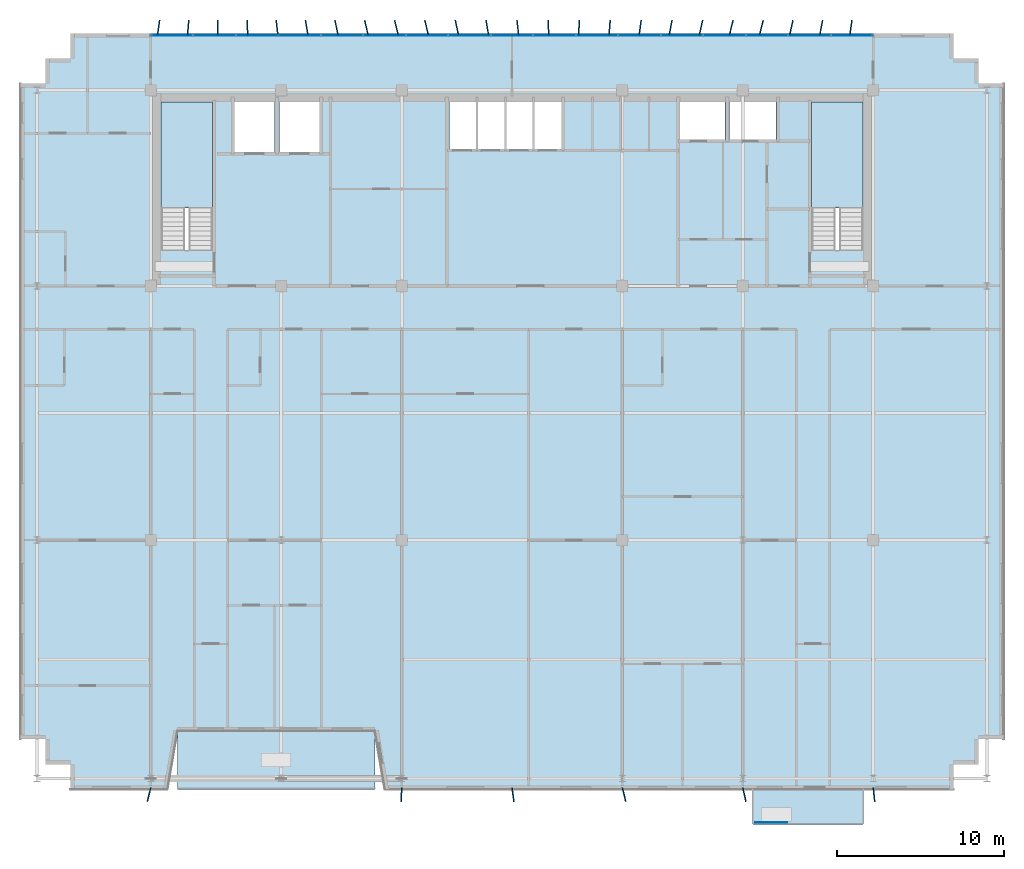
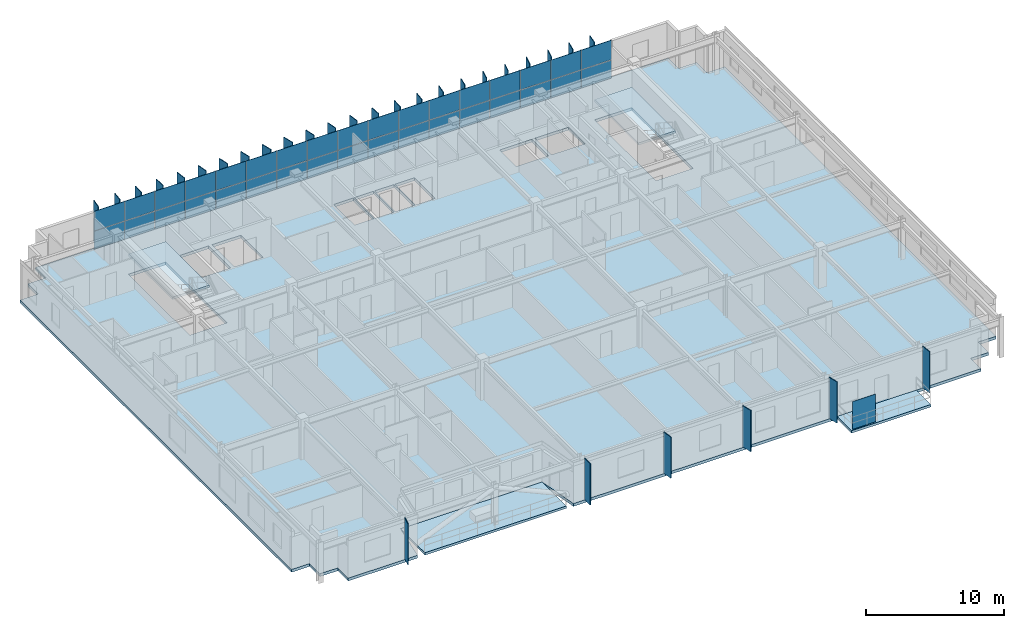
# One storey, part 13 of 20: 65 plates, 5 slabs, 3 elements without a shape of their own.
"""IFC4 building model written with IfcOpenShell, lengths in metres."""

from ifc_helpers import new_model, si_unit, direction, frame, origin, origin_2d, place, context, subcontext, project, spatial, polyline, rectangle, outline, extrude, source, transform, mapped, material, layer, layer_set, type_object, element, aggregate, save


model = new_model("IFC4")

# Units and contexts
model_context = context("Model", 3, precision=1e-05, world=origin(), true_north=direction((0.0, 1.0)))
body_context = subcontext(model_context, "Body", "Model", "MODEL_VIEW")
ifc_project = project(units=[si_unit("LENGTHUNIT", "METRE"), si_unit("AREAUNIT", "SQUARE_METRE"), si_unit("VOLUMEUNIT", "CUBIC_METRE"), si_unit("PLANEANGLEUNIT", "RADIAN"), si_unit("MASSUNIT", "GRAM", prefix="KILO")], contexts=[model_context])

# Site, building, storey
site_placement = place(None, origin())
site = spatial("IfcSite", under=ifc_project, at=site_placement, CompositionType="ELEMENT")
building_placement = place(site_placement, origin())
building = spatial("IfcBuilding", under=site, at=building_placement, Name="Trelvane Seafront Commons", CompositionType="ELEMENT")
storey_placement = place(building_placement, frame((0.0, 0.0, 171.699951171875)))
storey = spatial("IfcBuildingStorey", under=building, at=storey_placement, Name="L45", CompositionType="ELEMENT", Elevation=171.699951171875)

# Slab
ifc_material_1 = material(Name="Concrete C40/50", Category="concrete")
ifc_layer_1 = layer(ifc_material_1, 0.219970703125, Name="ARCH-BALC-220")
ifc_layer_set_1 = layer_set([ifc_layer_1], Name="Concrete C40/50")
slab_type_1 = type_object("IfcSlabType", Name="ARCH-BALC-220", PredefinedType="FLOOR", material=ifc_layer_set_1)
slab_1_placement = place(storey_placement, frame((0.0, 0.0, -0.219970703125)))
element("IfcSlab", 1, at=slab_1_placement, inside=storey, type_object=slab_type_1, Name="L45 Cantilevered Tree Balcony Loggia 2", PredefinedType="FLOOR", context=body_context, shape_type="SweptSolid", body=[
    extrude(outline(polyline([(51.60009765625, 1.199951171875), (58.199951171875, 1.199951171875), (58.199951171875, 3.300048828125), (51.60009765625, 3.300048828125), (51.60009765625, 1.199951171875)])), origin(), (0.0, 0.0, 1.0), 0.219970703125),
])

# Stair, slab
stair_type_1 = type_object("IfcStairType", Name="ARCH-STR-ST-1-R20-180", PredefinedType="HALF_TURN_STAIR", material=ifc_material_1)
stair_1_placement = place(storey_placement, origin())
stair_1 = element("IfcStair", 2, at=stair_1_placement, inside=storey, type_object=stair_type_1, Name="L45 West Protected Firefighting Exit Stair ST-1", PredefinedType="HALF_TURN_STAIR")
ifc_layer_2 = layer(ifc_material_1, 0.199951171875, Name="ARCH-LND-200")
ifc_layer_set_2 = layer_set([ifc_layer_2], Name="Concrete C40/50")
slab_type_2 = type_object("IfcSlabType", Name="ARCH-LND-200", PredefinedType="LANDING", material=ifc_layer_set_2)
slab_2_placement = place(storey_placement, frame((0.0, 0.0, 1.60009765625)))
slab_2 = element("IfcSlab", 3, at=slab_2_placement, type_object=slab_type_2, Name="ST-1 landing 1", PredefinedType="LANDING", context=body_context, shape_type="SweptSolid", body=[
    extrude(outline(polyline([(19.300048828125, 38.070068359375), (19.300048828125, 44.39990234375), (16.199951171875, 44.39990234375), (16.199951171875, 38.070068359375), (19.300048828125, 38.070068359375)])), origin(), (0.0, 0.0, 1.0), 0.199951171875),
])
aggregate(stair_1, [slab_2])

stair_type_2 = type_object("IfcStairType", Name="ARCH-STR-ST-2-R20-180", PredefinedType="HALF_TURN_STAIR", material=ifc_material_1)
stair_2_placement = place(storey_placement, origin())
stair_2 = element("IfcStair", 4, at=stair_2_placement, inside=storey, type_object=stair_type_2, Name="L45 East Protected Firefighting Exit Stair ST-2", PredefinedType="HALF_TURN_STAIR")
slab_3_placement = place(storey_placement, frame((0.0, 0.0, 1.60009765625)))
slab_3 = element("IfcSlab", 5, at=slab_3_placement, type_object=slab_type_2, Name="ST-2 landing 1", PredefinedType="LANDING", context=body_context, shape_type="SweptSolid", body=[
    extrude(outline(polyline([(58.199951171875, 38.070068359375), (58.199951171875, 44.39990234375), (55.10009765625, 44.39990234375), (55.10009765625, 38.070068359375), (58.199951171875, 38.070068359375)])), origin(), (0.0, 0.0, 1.0), 0.199951171875),
])
aggregate(stair_2, [slab_3])

# Slabs
ifc_layer_3 = layer(ifc_material_1, 0.2099609375, Name="ARCH-TERR-210")
ifc_layer_set_3 = layer_set([ifc_layer_3], Name="Concrete C40/50")
slab_type_3 = type_object("IfcSlabType", Name="ARCH-TERR-210", PredefinedType="FLOOR", material=ifc_layer_set_3)
slab_4_placement = place(storey_placement, frame((0.0, 0.0, -0.2099609375)))
element("IfcSlab", 6, at=slab_4_placement, inside=storey, type_object=slab_type_3, Name="L45 V-Notched Sky Garden Terrace Slab", PredefinedType="FLOOR", context=body_context, shape_type="SweptSolid", body=[
    extrude(outline(polyline([(17.199951171875, 3.300048828125), (29.0, 3.300048828125), (29.0, 6.800048828125), (17.199951171875, 6.800048828125), (17.199951171875, 3.300048828125)])), origin(), (0.0, 0.0, 1.0), 0.2099609375),
])
ifc_material_2 = material(Name="Concrete C50/60", Category="concrete")
ifc_layer_4 = layer(ifc_material_2, 0.25, Name="STR-SLB-Z3-250")
ifc_layer_set_4 = layer_set([ifc_layer_4], Name="Concrete C50/60")
slab_type_4 = type_object("IfcSlabType", Name="STR-SLB-Z3-250", PredefinedType="FLOOR", material=ifc_layer_set_4)
slab_5_placement = place(storey_placement, frame((0.0, 0.0, -0.25)))
element("IfcSlab", 7, at=slab_5_placement, inside=storey, type_object=slab_type_4, Name="L45 Structural Floor Slab", PredefinedType="FLOOR", context=body_context, shape_type="SweptSolid", body=[
    extrude(outline(polyline([(10.800048828125, 3.300048828125), (16.60009765625, 3.300048828125), (17.199951171875, 6.800048828125), (29.0, 6.800048828125), (29.60009765625, 3.300048828125), (63.60009765625, 3.300048828125), (63.60009765625, 4.800048828125), (65.10009765625, 4.800048828125), (65.10009765625, 6.300048828125), (66.60009765625, 6.300048828125), (66.60009765625, 45.5), (65.10009765625, 45.5), (65.10009765625, 47.0), (63.60009765625, 47.0), (63.60009765625, 48.5), (10.800048828125, 48.5), (10.800048828125, 47.0), (9.300048828125, 47.0), (9.300048828125, 45.5), (7.800048828125, 45.5), (7.800048828125, 6.300048828125), (9.300048828125, 6.300048828125), (9.300048828125, 4.800048828125), (10.800048828125, 4.800048828125), (10.800048828125, 3.300048828125)]), holes=[polyline([(19.300048828125, 35.550048828125), (16.199951171875, 35.550048828125), (16.199951171875, 44.39990234375), (19.300048828125, 44.39990234375), (19.300048828125, 35.550048828125)]), polyline([(58.199951171875, 35.550048828125), (55.10009765625, 35.550048828125), (55.10009765625, 44.39990234375), (58.199951171875, 44.39990234375), (58.199951171875, 35.550048828125)]), polyline([(23.0, 41.39990234375), (20.60009765625, 41.39990234375), (20.60009765625, 44.60009765625), (23.0, 44.60009765625), (23.0, 41.39990234375)]), polyline([(23.300048828125, 41.39990234375), (23.300048828125, 44.60009765625), (25.699951171875, 44.60009765625), (25.699951171875, 41.39990234375), (23.300048828125, 41.39990234375)]), polyline([(33.449951171875, 41.60009765625), (33.449951171875, 44.60009765625), (35.070068359375, 44.60009765625), (35.070068359375, 41.60009765625), (33.449951171875, 41.60009765625)]), polyline([(36.77001953125, 41.60009765625), (35.14990234375, 41.60009765625), (35.14990234375, 44.60009765625), (36.77001953125, 44.60009765625), (36.77001953125, 41.60009765625)]), polyline([(38.469970703125, 41.60009765625), (36.85009765625, 41.60009765625), (36.85009765625, 44.60009765625), (38.469970703125, 44.60009765625), (38.469970703125, 41.60009765625)]), polyline([(40.169921875, 41.60009765625), (38.550048828125, 41.60009765625), (38.550048828125, 44.60009765625), (40.169921875, 44.60009765625), (40.169921875, 41.60009765625)]), polyline([(47.25, 42.14990234375), (47.25, 44.550048828125), (49.949951171875, 44.550048828125), (49.949951171875, 42.14990234375), (47.25, 42.14990234375)]), polyline([(50.199951171875, 42.14990234375), (50.199951171875, 44.550048828125), (53.0, 44.550048828125), (53.0, 42.14990234375), (50.199951171875, 42.14990234375)])]), origin(), (0.0, 0.0, 1.0), 0.25),
])

# Plates
ifc_material_3 = material(Name="Perforated anodised aluminium screen", Category="aluminium")
ifc_layer_5 = layer(ifc_material_3, 0.01611328125, Name="ARCH-PLATE-SCREEN")
ifc_layer_set_5 = layer_set([ifc_layer_5], Name="Perforated anodised aluminium screen")
plate_type_1 = type_object("IfcPlateType", Name="ARCH-PLATE-SCREEN", PredefinedType="USERDEFINED", material=ifc_layer_set_5)
shared_shape_1 = source(origin(), body_context, "Body", "SweptSolid", [
    extrude(rectangle(XDim=1.9140625, YDim=0.01611328125, at=origin_2d()), origin(), (0.0, 0.0, 1.0), 2.449951171875),
])
plate_1_placement = place(storey_placement, frame((52.70703125, 1.320068359375, 0.0), z_axis=(0.0, 0.0, 1.0), x_axis=(1.0, 0.0, 0.0)))
element("IfcPlate", 8, at=plate_1_placement, inside=storey, type_object=plate_type_1, Name="SCR-L45-00163", ObjectType="SCREEN", PredefinedType="USERDEFINED", context=body_context, shape_type="MappedRepresentation", body=[
    mapped(shared_shape_1, transform((0.0, 0.0, 0.0), x_axis=(1.0, 0.0, 0.0), y_axis=(0.0, 1.0, 0.0), z_axis=(0.0, 0.0, 1.0), scale=1.0)),
])
ifc_material_4 = material(Name="Anodised pale-silver aluminium", Category="aluminium")
ifc_layer_6 = layer(ifc_material_4, 0.06005859375, Name="ARCH-PLATE-FIN900")
ifc_layer_set_6 = layer_set([ifc_layer_6], Name="Anodised pale-silver aluminium")
plate_type_2 = type_object("IfcPlateType", Name="ARCH-PLATE-FIN900", PredefinedType="USERDEFINED", material=ifc_layer_set_6)
shared_shape_2 = source(origin(), body_context, "Body", "SweptSolid", [
    extrude(rectangle(XDim=0.89990234375, YDim=0.06005859375, at=origin_2d()), origin(), (0.0, 0.0, 1.0), 3.639892578125),
])
for number, where, z_axis, x_axis, name in (
    (9, (16.064208984375, 48.845458984375, -0.02001953125), (0.0, 0.0, 1.0), (0.142447545344, 0.989802352405, 0.0), "FIN-L45-01247"),
    (10, (17.837890625, 48.848388671875, -0.02001953125), (0.0, 0.0, 1.0), (0.084001331631, 0.9964656423, 0.0), "FIN-L45-01248"),
    (11, (19.608642578125, 48.849853515625, -0.02001953125), (0.0, 0.0, 1.0), (0.019111936957, 0.999817350252, 0.0), "FIN-L45-01249"),
    (12, (21.37890625, 48.849609375, -0.02001953125), (0.0, 0.0, 1.0), (-0.04722151425, 0.998884442061, 0.0), "FIN-L45-01250"),
    (13, (23.150390625, 48.847412109375, -0.02001953125), (0.0, 0.0, 1.0), (-0.110004934125, 0.993931041103, 0.0), "FIN-L45-01251"),
    (14, (24.926025390625, 48.843994140625, -0.02001953125), (0.0, 0.0, 1.0), (-0.164219557711, 0.986423811992, 0.0), "FIN-L45-01252"),
    (15, (26.707275390625, 48.84033203125, -0.02001953125), (0.0, 0.0, 1.0), (-0.205999242433, 0.978552150944, 0.0), "FIN-L45-01253"),
    (16, (28.495361328125, 48.837646484375, -0.02001953125), (0.0, 0.0, 1.0), (-0.232457528092, 0.972606548216, 0.0), "FIN-L45-01254"),
    (17, (30.291259765625, 48.836669921875, -0.02001953125), (0.0, 0.0, 1.0), (-0.241881251735, 0.970305859025, 0.0), "FIN-L45-01255"),
    (18, (32.0947265625, 48.837646484375, -0.02001953125), (0.0, 0.0, 1.0), (-0.233767801091, 0.972292453521, 0.0), "FIN-L45-01256"),
    (19, (33.906005859375, 48.840087890625, -0.02001953125), (0.0, 0.0, 1.0), (-0.208556963201, 0.978010221368, 0.0), "FIN-L45-01257"),
    (20, (35.724609375, 48.843505859375, -0.02001953125), (0.0, 0.0, 1.0), (-0.167785702463, 0.98582349234, 0.0), "FIN-L45-01258"),
    (21, (37.548583984375, 48.846923828125, -0.02001953125), (0.0, 0.0, 1.0), (-0.114333779964, 0.99344239227, 0.0), "FIN-L45-01259"),
    (22, (39.37646484375, 48.849365234375, -0.02001953125), (0.0, 0.0, 1.0), (-0.052109373044, 0.998641383701, 0.0), "FIN-L45-01260"),
    (23, (41.206298828125, 48.849853515625, -0.02001953125), (0.0, 0.0, 1.0), (0.014222208574, 0.999898859277, 0.0), "FIN-L45-01261"),
    (24, (43.035888671875, 48.8486328125, -0.02001953125), (0.0, 0.0, 1.0), (0.079440388784, 0.996839618309, 0.0), "FIN-L45-01262"),
    (25, (44.8623046875, 48.845703125, -0.02001953125), (0.0, 0.0, 1.0), (0.138448887747, 0.990369580249, 0.0), "FIN-L45-01263"),
    (26, (46.68408203125, 48.842041015625, -0.02001953125), (0.0, 0.0, 1.0), (0.186897826972, 0.982379357618, 0.0), "FIN-L45-01264"),
    (27, (48.49951171875, 48.8388671875, -0.02001953125), (0.0, 0.0, 1.0), (0.221221709501, 0.975223541167, 0.0), "FIN-L45-01265"),
    (28, (50.3076171875, 48.8369140625, -0.02001953125), (0.0, 0.0, 1.0), (0.239345254729, 0.970934523559, 0.0), "FIN-L45-01266"),
    (29, (52.10791015625, 48.8369140625, -0.02001953125), (0.0, 0.0, 1.0), (0.239999316129, 0.970773057031, 0.0), "FIN-L45-01267"),
    (30, (53.900390625, 48.838623046875, -0.02001953125), (0.0, 0.0, 1.0), (0.223219492875, 0.974768207319, 0.0), "FIN-L45-01268"),
    (31, (55.685546875, 48.841796875, -0.02001953125), (0.0, 0.0, 1.0), (0.189894030389, 0.981804592178, 0.0), "FIN-L45-01269"),
    (32, (57.464111328125, 48.845458984375, -0.02001953125), (0.0, 0.0, 1.0), (0.142447545344, 0.989802352405, 0.0), "FIN-L45-01270"),
):
    element("IfcPlate", number, at=place(storey_placement, frame(where, z_axis=z_axis, x_axis=x_axis)), inside=storey, type_object=plate_type_2, Name=name, ObjectType="FIN", PredefinedType="USERDEFINED", context=body_context, shape_type="MappedRepresentation", body=[
        mapped(shared_shape_2, transform((0.0, 0.0, 0.0), x_axis=(1.0, 0.0, 0.0), y_axis=(0.0, 1.0, 0.0), z_axis=(0.0, 0.0, 1.0), scale=1.0)),
    ])
shared_shape_3 = source(origin(), body_context, "Body", "SweptSolid", [
    extrude(rectangle(XDim=0.85009765625, YDim=0.06005859375, at=origin_2d()), origin(), (0.0, 0.0, 1.0), 3.639892578125),
])
for number, where, z_axis, x_axis, name in (
    (33, (15.49755859375, 2.987548828125, -0.02001953125), (0.0, 0.0, 1.0), (-0.241290174283, -0.970453013697, 0.0), "FIN-S-L45-01271"),
    (34, (30.590087890625, 2.97509765625, -0.02001953125), (0.0, 0.0, 1.0), (-0.023292802742, -0.999728685865, 0.0), "FIN-S-L45-01272"),
    (35, (37.2587890625, 2.97900390625, -0.02001953125), (0.0, 0.0, 1.0), (0.138473086999, -0.990366197008, 0.0), "FIN-S-L45-01273"),
    (36, (43.899169921875, 2.98681640625, -0.02001953125), (0.0, 0.0, 1.0), (0.23352852118, -0.97234995233, 0.0), "FIN-S-L45-01274"),
    (37, (51.093505859375, 2.9853515625, -0.02001953125), (0.0, 0.0, 1.0), (0.219881959414, -0.975526485506, 0.0), "FIN-S-L45-01275"),
    (38, (58.843994140625, 2.977294921875, -0.02001953125), (0.0, 0.0, 1.0), (0.103289043963, -0.994651382846, 0.0), "FIN-S-L45-01276"),
):
    element("IfcPlate", number, at=place(storey_placement, frame(where, z_axis=z_axis, x_axis=x_axis)), inside=storey, type_object=plate_type_2, Name=name, ObjectType="FIN", PredefinedType="USERDEFINED", context=body_context, shape_type="MappedRepresentation", body=[
        mapped(shared_shape_3, transform((0.0, 0.0, 0.0), x_axis=(1.0, 0.0, 0.0), y_axis=(0.0, 1.0, 0.0), z_axis=(0.0, 0.0, 1.0), scale=1.0)),
    ])

# Curtain wall, plates
curtain_wall_type = type_object("IfcCurtainWallType", Name="ARCH-CW5-UPTOWER", PredefinedType="NOTDEFINED", material=ifc_material_4)
curtain_wall_placement = place(storey_placement, origin())
curtain_wall = element("IfcCurtainWall", 39, at=curtain_wall_placement, inside=storey, type_object=curtain_wall_type, Name="CW-L45-0072", PredefinedType="NOTDEFINED")
ifc_material_5 = material(Name="Low-E coastal double glazing", Category="glass")
ifc_layer_7 = layer(ifc_material_5, 0.033935546875, Name="ARCH-CW-GLAZ-34")
ifc_layer_set_7 = layer_set([ifc_layer_7], Name="Low-E coastal double glazing")
plate_type_3 = type_object("IfcPlateType", Name="ARCH-CW-GLAZ-34", PredefinedType="CURTAIN_PANEL", material=ifc_layer_set_7)
shared_shape_4 = source(origin(), body_context, "Body", "SweptSolid", [
    extrude(rectangle(XDim=2.51708984375, YDim=0.033935546875, at=origin_2d()), origin(), (0.0, 0.0, 1.0), 1.590087890625),
])
plate_2_placement = place(storey_placement, frame((16.87060546875, 48.3701171875, 0.0), z_axis=(0.0, 0.0, 1.0), x_axis=(1.0, 0.0, 0.0)))
plate_2 = element("IfcPlate", 40, at=plate_2_placement, type_object=plate_type_3, Name="CW-L45-0072-P00-1", PredefinedType="CURTAIN_PANEL", context=body_context, shape_type="MappedRepresentation", body=[
    mapped(shared_shape_4, transform((0.0, 0.0, 0.0), x_axis=(1.0, 0.0, 0.0), y_axis=(0.0, 1.0, 0.0), z_axis=(0.0, 0.0, 1.0), scale=1.0)),
])
plate_3_placement = place(storey_placement, frame((19.411865234375, 48.3701171875, 0.0), z_axis=(0.0, 0.0, 1.0), x_axis=(1.0, 0.0, 0.0)))
plate_3 = element("IfcPlate", 41, at=plate_3_placement, type_object=plate_type_3, Name="CW-L45-0072-P01-1", PredefinedType="CURTAIN_PANEL", context=body_context, shape_type="MappedRepresentation", body=[
    mapped(shared_shape_4, transform((0.0, 0.0, 0.0), x_axis=(1.0, 0.0, 0.0), y_axis=(0.0, 1.0, 0.0), z_axis=(0.0, 0.0, 1.0), scale=1.0)),
])
plate_4_placement = place(storey_placement, frame((21.952880859375, 48.3701171875, 0.0), z_axis=(0.0, 0.0, 1.0), x_axis=(1.0, 0.0, 0.0)))
plate_4 = element("IfcPlate", 42, at=plate_4_placement, type_object=plate_type_3, Name="CW-L45-0072-P02-1", PredefinedType="CURTAIN_PANEL", context=body_context, shape_type="MappedRepresentation", body=[
    mapped(shared_shape_4, transform((0.0, 0.0, 0.0), x_axis=(1.0, 0.0, 0.0), y_axis=(0.0, 1.0, 0.0), z_axis=(0.0, 0.0, 1.0), scale=1.0)),
])
plate_5_placement = place(storey_placement, frame((24.494140625, 48.3701171875, 0.0), z_axis=(0.0, 0.0, 1.0), x_axis=(1.0, 0.0, 0.0)))
plate_5 = element("IfcPlate", 43, at=plate_5_placement, type_object=plate_type_3, Name="CW-L45-0072-P03-1", PredefinedType="CURTAIN_PANEL", context=body_context, shape_type="MappedRepresentation", body=[
    mapped(shared_shape_4, transform((0.0, 0.0, 0.0), x_axis=(1.0, 0.0, 0.0), y_axis=(0.0, 1.0, 0.0), z_axis=(0.0, 0.0, 1.0), scale=1.0)),
])
plate_6_placement = place(storey_placement, frame((27.035400390625, 48.3701171875, 0.0), z_axis=(0.0, 0.0, 1.0), x_axis=(1.0, 0.0, 0.0)))
plate_6 = element("IfcPlate", 44, at=plate_6_placement, type_object=plate_type_3, Name="CW-L45-0072-P04-1", PredefinedType="CURTAIN_PANEL", context=body_context, shape_type="MappedRepresentation", body=[
    mapped(shared_shape_4, transform((0.0, 0.0, 0.0), x_axis=(1.0, 0.0, 0.0), y_axis=(0.0, 1.0, 0.0), z_axis=(0.0, 0.0, 1.0), scale=1.0)),
])
plate_7_placement = place(storey_placement, frame((29.576416015625, 48.3701171875, 0.0), z_axis=(0.0, 0.0, 1.0), x_axis=(1.0, 0.0, 0.0)))
plate_7 = element("IfcPlate", 45, at=plate_7_placement, type_object=plate_type_3, Name="CW-L45-0072-P05-1", PredefinedType="CURTAIN_PANEL", context=body_context, shape_type="MappedRepresentation", body=[
    mapped(shared_shape_4, transform((0.0, 0.0, 0.0), x_axis=(1.0, 0.0, 0.0), y_axis=(0.0, 1.0, 0.0), z_axis=(0.0, 0.0, 1.0), scale=1.0)),
])
plate_8_placement = place(storey_placement, frame((32.11767578125, 48.3701171875, 0.0), z_axis=(0.0, 0.0, 1.0), x_axis=(1.0, 0.0, 0.0)))
plate_8 = element("IfcPlate", 46, at=plate_8_placement, type_object=plate_type_3, Name="CW-L45-0072-P06-1", PredefinedType="CURTAIN_PANEL", context=body_context, shape_type="MappedRepresentation", body=[
    mapped(shared_shape_4, transform((0.0, 0.0, 0.0), x_axis=(1.0, 0.0, 0.0), y_axis=(0.0, 1.0, 0.0), z_axis=(0.0, 0.0, 1.0), scale=1.0)),
])
plate_9_placement = place(storey_placement, frame((34.65869140625, 48.3701171875, 0.0), z_axis=(0.0, 0.0, 1.0), x_axis=(1.0, 0.0, 0.0)))
plate_9 = element("IfcPlate", 47, at=plate_9_placement, type_object=plate_type_3, Name="CW-L45-0072-P07-1", PredefinedType="CURTAIN_PANEL", context=body_context, shape_type="MappedRepresentation", body=[
    mapped(shared_shape_4, transform((0.0, 0.0, 0.0), x_axis=(1.0, 0.0, 0.0), y_axis=(0.0, 1.0, 0.0), z_axis=(0.0, 0.0, 1.0), scale=1.0)),
])
plate_10_placement = place(storey_placement, frame((37.199951171875, 48.3701171875, 0.0), z_axis=(0.0, 0.0, 1.0), x_axis=(1.0, 0.0, 0.0)))
plate_10 = element("IfcPlate", 48, at=plate_10_placement, type_object=plate_type_3, Name="CW-L45-0072-P08-1", PredefinedType="CURTAIN_PANEL", context=body_context, shape_type="MappedRepresentation", body=[
    mapped(shared_shape_4, transform((0.0, 0.0, 0.0), x_axis=(1.0, 0.0, 0.0), y_axis=(0.0, 1.0, 0.0), z_axis=(0.0, 0.0, 1.0), scale=1.0)),
])
plate_11_placement = place(storey_placement, frame((39.7412109375, 48.3701171875, 0.0), z_axis=(0.0, 0.0, 1.0), x_axis=(1.0, 0.0, 0.0)))
plate_11 = element("IfcPlate", 49, at=plate_11_placement, type_object=plate_type_3, Name="CW-L45-0072-P09-1", PredefinedType="CURTAIN_PANEL", context=body_context, shape_type="MappedRepresentation", body=[
    mapped(shared_shape_4, transform((0.0, 0.0, 0.0), x_axis=(1.0, 0.0, 0.0), y_axis=(0.0, 1.0, 0.0), z_axis=(0.0, 0.0, 1.0), scale=1.0)),
])
plate_12_placement = place(storey_placement, frame((42.282470703125, 48.3701171875, 0.0), z_axis=(0.0, 0.0, 1.0), x_axis=(1.0, 0.0, 0.0)))
plate_12 = element("IfcPlate", 50, at=plate_12_placement, type_object=plate_type_3, Name="CW-L45-0072-P10-1", PredefinedType="CURTAIN_PANEL", context=body_context, shape_type="MappedRepresentation", body=[
    mapped(shared_shape_4, transform((0.0, 0.0, 0.0), x_axis=(1.0, 0.0, 0.0), y_axis=(0.0, 1.0, 0.0), z_axis=(0.0, 0.0, 1.0), scale=1.0)),
])
plate_13_placement = place(storey_placement, frame((44.823486328125, 48.3701171875, 0.0), z_axis=(0.0, 0.0, 1.0), x_axis=(1.0, 0.0, 0.0)))
plate_13 = element("IfcPlate", 51, at=plate_13_placement, type_object=plate_type_3, Name="CW-L45-0072-P11-1", PredefinedType="CURTAIN_PANEL", context=body_context, shape_type="MappedRepresentation", body=[
    mapped(shared_shape_4, transform((0.0, 0.0, 0.0), x_axis=(1.0, 0.0, 0.0), y_axis=(0.0, 1.0, 0.0), z_axis=(0.0, 0.0, 1.0), scale=1.0)),
])
plate_14_placement = place(storey_placement, frame((47.36474609375, 48.3701171875, 0.0), z_axis=(0.0, 0.0, 1.0), x_axis=(1.0, 0.0, 0.0)))
plate_14 = element("IfcPlate", 52, at=plate_14_placement, type_object=plate_type_3, Name="CW-L45-0072-P12-1", PredefinedType="CURTAIN_PANEL", context=body_context, shape_type="MappedRepresentation", body=[
    mapped(shared_shape_4, transform((0.0, 0.0, 0.0), x_axis=(1.0, 0.0, 0.0), y_axis=(0.0, 1.0, 0.0), z_axis=(0.0, 0.0, 1.0), scale=1.0)),
])
plate_15_placement = place(storey_placement, frame((49.906005859375, 48.3701171875, 0.0), z_axis=(0.0, 0.0, 1.0), x_axis=(1.0, 0.0, 0.0)))
plate_15 = element("IfcPlate", 53, at=plate_15_placement, type_object=plate_type_3, Name="CW-L45-0072-P13-1", PredefinedType="CURTAIN_PANEL", context=body_context, shape_type="MappedRepresentation", body=[
    mapped(shared_shape_4, transform((0.0, 0.0, 0.0), x_axis=(1.0, 0.0, 0.0), y_axis=(0.0, 1.0, 0.0), z_axis=(0.0, 0.0, 1.0), scale=1.0)),
])
plate_16_placement = place(storey_placement, frame((52.447021484375, 48.3701171875, 0.0), z_axis=(0.0, 0.0, 1.0), x_axis=(1.0, 0.0, 0.0)))
plate_16 = element("IfcPlate", 54, at=plate_16_placement, type_object=plate_type_3, Name="CW-L45-0072-P14-1", PredefinedType="CURTAIN_PANEL", context=body_context, shape_type="MappedRepresentation", body=[
    mapped(shared_shape_4, transform((0.0, 0.0, 0.0), x_axis=(1.0, 0.0, 0.0), y_axis=(0.0, 1.0, 0.0), z_axis=(0.0, 0.0, 1.0), scale=1.0)),
])
plate_17_placement = place(storey_placement, frame((54.98828125, 48.3701171875, 0.0), z_axis=(0.0, 0.0, 1.0), x_axis=(1.0, 0.0, 0.0)))
plate_17 = element("IfcPlate", 55, at=plate_17_placement, type_object=plate_type_3, Name="CW-L45-0072-P15-1", PredefinedType="CURTAIN_PANEL", context=body_context, shape_type="MappedRepresentation", body=[
    mapped(shared_shape_4, transform((0.0, 0.0, 0.0), x_axis=(1.0, 0.0, 0.0), y_axis=(0.0, 1.0, 0.0), z_axis=(0.0, 0.0, 1.0), scale=1.0)),
])
plate_18_placement = place(storey_placement, frame((57.529296875, 48.3701171875, 0.0), z_axis=(0.0, 0.0, 1.0), x_axis=(1.0, 0.0, 0.0)))
plate_18 = element("IfcPlate", 56, at=plate_18_placement, type_object=plate_type_3, Name="CW-L45-0072-P16-1", PredefinedType="CURTAIN_PANEL", context=body_context, shape_type="MappedRepresentation", body=[
    mapped(shared_shape_4, transform((0.0, 0.0, 0.0), x_axis=(1.0, 0.0, 0.0), y_axis=(0.0, 1.0, 0.0), z_axis=(0.0, 0.0, 1.0), scale=1.0)),
])
shared_shape_5 = source(origin(), body_context, "Body", "SweptSolid", [
    extrude(rectangle(XDim=2.51708984375, YDim=0.033935546875, at=origin_2d()), origin(), (0.0, 0.0, 1.0), 1.72412109375),
])
plate_19_placement = place(storey_placement, frame((16.87060546875, 48.3701171875, 1.6259765625), z_axis=(0.0, 0.0, 1.0), x_axis=(1.0, 0.0, 0.0)))
plate_19 = element("IfcPlate", 57, at=plate_19_placement, type_object=plate_type_3, Name="CW-L45-0072-P00-2", PredefinedType="CURTAIN_PANEL", context=body_context, shape_type="MappedRepresentation", body=[
    mapped(shared_shape_5, transform((0.0, 0.0, 0.0), x_axis=(1.0, 0.0, 0.0), y_axis=(0.0, 1.0, 0.0), z_axis=(0.0, 0.0, 1.0), scale=1.0)),
])
plate_20_placement = place(storey_placement, frame((19.411865234375, 48.3701171875, 1.6259765625), z_axis=(0.0, 0.0, 1.0), x_axis=(1.0, 0.0, 0.0)))
plate_20 = element("IfcPlate", 58, at=plate_20_placement, type_object=plate_type_3, Name="CW-L45-0072-P01-2", PredefinedType="CURTAIN_PANEL", context=body_context, shape_type="MappedRepresentation", body=[
    mapped(shared_shape_5, transform((0.0, 0.0, 0.0), x_axis=(1.0, 0.0, 0.0), y_axis=(0.0, 1.0, 0.0), z_axis=(0.0, 0.0, 1.0), scale=1.0)),
])
plate_21_placement = place(storey_placement, frame((21.952880859375, 48.3701171875, 1.6259765625), z_axis=(0.0, 0.0, 1.0), x_axis=(1.0, 0.0, 0.0)))
plate_21 = element("IfcPlate", 59, at=plate_21_placement, type_object=plate_type_3, Name="CW-L45-0072-P02-2", PredefinedType="CURTAIN_PANEL", context=body_context, shape_type="MappedRepresentation", body=[
    mapped(shared_shape_5, transform((0.0, 0.0, 0.0), x_axis=(1.0, 0.0, 0.0), y_axis=(0.0, 1.0, 0.0), z_axis=(0.0, 0.0, 1.0), scale=1.0)),
])
plate_22_placement = place(storey_placement, frame((24.494140625, 48.3701171875, 1.6259765625), z_axis=(0.0, 0.0, 1.0), x_axis=(1.0, 0.0, 0.0)))
plate_22 = element("IfcPlate", 60, at=plate_22_placement, type_object=plate_type_3, Name="CW-L45-0072-P03-2", PredefinedType="CURTAIN_PANEL", context=body_context, shape_type="MappedRepresentation", body=[
    mapped(shared_shape_5, transform((0.0, 0.0, 0.0), x_axis=(1.0, 0.0, 0.0), y_axis=(0.0, 1.0, 0.0), z_axis=(0.0, 0.0, 1.0), scale=1.0)),
])
plate_23_placement = place(storey_placement, frame((27.035400390625, 48.3701171875, 1.6259765625), z_axis=(0.0, 0.0, 1.0), x_axis=(1.0, 0.0, 0.0)))
plate_23 = element("IfcPlate", 61, at=plate_23_placement, type_object=plate_type_3, Name="CW-L45-0072-P04-2", PredefinedType="CURTAIN_PANEL", context=body_context, shape_type="MappedRepresentation", body=[
    mapped(shared_shape_5, transform((0.0, 0.0, 0.0), x_axis=(1.0, 0.0, 0.0), y_axis=(0.0, 1.0, 0.0), z_axis=(0.0, 0.0, 1.0), scale=1.0)),
])
plate_24_placement = place(storey_placement, frame((29.576416015625, 48.3701171875, 1.6259765625), z_axis=(0.0, 0.0, 1.0), x_axis=(1.0, 0.0, 0.0)))
plate_24 = element("IfcPlate", 62, at=plate_24_placement, type_object=plate_type_3, Name="CW-L45-0072-P05-2", PredefinedType="CURTAIN_PANEL", context=body_context, shape_type="MappedRepresentation", body=[
    mapped(shared_shape_5, transform((0.0, 0.0, 0.0), x_axis=(1.0, 0.0, 0.0), y_axis=(0.0, 1.0, 0.0), z_axis=(0.0, 0.0, 1.0), scale=1.0)),
])
plate_25_placement = place(storey_placement, frame((32.11767578125, 48.3701171875, 1.6259765625), z_axis=(0.0, 0.0, 1.0), x_axis=(1.0, 0.0, 0.0)))
plate_25 = element("IfcPlate", 63, at=plate_25_placement, type_object=plate_type_3, Name="CW-L45-0072-P06-2", PredefinedType="CURTAIN_PANEL", context=body_context, shape_type="MappedRepresentation", body=[
    mapped(shared_shape_5, transform((0.0, 0.0, 0.0), x_axis=(1.0, 0.0, 0.0), y_axis=(0.0, 1.0, 0.0), z_axis=(0.0, 0.0, 1.0), scale=1.0)),
])
plate_26_placement = place(storey_placement, frame((34.65869140625, 48.3701171875, 1.6259765625), z_axis=(0.0, 0.0, 1.0), x_axis=(1.0, 0.0, 0.0)))
plate_26 = element("IfcPlate", 64, at=plate_26_placement, type_object=plate_type_3, Name="CW-L45-0072-P07-2", PredefinedType="CURTAIN_PANEL", context=body_context, shape_type="MappedRepresentation", body=[
    mapped(shared_shape_5, transform((0.0, 0.0, 0.0), x_axis=(1.0, 0.0, 0.0), y_axis=(0.0, 1.0, 0.0), z_axis=(0.0, 0.0, 1.0), scale=1.0)),
])
plate_27_placement = place(storey_placement, frame((37.199951171875, 48.3701171875, 1.6259765625), z_axis=(0.0, 0.0, 1.0), x_axis=(1.0, 0.0, 0.0)))
plate_27 = element("IfcPlate", 65, at=plate_27_placement, type_object=plate_type_3, Name="CW-L45-0072-P08-2", PredefinedType="CURTAIN_PANEL", context=body_context, shape_type="MappedRepresentation", body=[
    mapped(shared_shape_5, transform((0.0, 0.0, 0.0), x_axis=(1.0, 0.0, 0.0), y_axis=(0.0, 1.0, 0.0), z_axis=(0.0, 0.0, 1.0), scale=1.0)),
])
plate_28_placement = place(storey_placement, frame((39.7412109375, 48.3701171875, 1.6259765625), z_axis=(0.0, 0.0, 1.0), x_axis=(1.0, 0.0, 0.0)))
plate_28 = element("IfcPlate", 66, at=plate_28_placement, type_object=plate_type_3, Name="CW-L45-0072-P09-2", PredefinedType="CURTAIN_PANEL", context=body_context, shape_type="MappedRepresentation", body=[
    mapped(shared_shape_5, transform((0.0, 0.0, 0.0), x_axis=(1.0, 0.0, 0.0), y_axis=(0.0, 1.0, 0.0), z_axis=(0.0, 0.0, 1.0), scale=1.0)),
])
plate_29_placement = place(storey_placement, frame((42.282470703125, 48.3701171875, 1.6259765625), z_axis=(0.0, 0.0, 1.0), x_axis=(1.0, 0.0, 0.0)))
plate_29 = element("IfcPlate", 67, at=plate_29_placement, type_object=plate_type_3, Name="CW-L45-0072-P10-2", PredefinedType="CURTAIN_PANEL", context=body_context, shape_type="MappedRepresentation", body=[
    mapped(shared_shape_5, transform((0.0, 0.0, 0.0), x_axis=(1.0, 0.0, 0.0), y_axis=(0.0, 1.0, 0.0), z_axis=(0.0, 0.0, 1.0), scale=1.0)),
])
plate_30_placement = place(storey_placement, frame((44.823486328125, 48.3701171875, 1.6259765625), z_axis=(0.0, 0.0, 1.0), x_axis=(1.0, 0.0, 0.0)))
plate_30 = element("IfcPlate", 68, at=plate_30_placement, type_object=plate_type_3, Name="CW-L45-0072-P11-2", PredefinedType="CURTAIN_PANEL", context=body_context, shape_type="MappedRepresentation", body=[
    mapped(shared_shape_5, transform((0.0, 0.0, 0.0), x_axis=(1.0, 0.0, 0.0), y_axis=(0.0, 1.0, 0.0), z_axis=(0.0, 0.0, 1.0), scale=1.0)),
])
plate_31_placement = place(storey_placement, frame((47.36474609375, 48.3701171875, 1.6259765625), z_axis=(0.0, 0.0, 1.0), x_axis=(1.0, 0.0, 0.0)))
plate_31 = element("IfcPlate", 69, at=plate_31_placement, type_object=plate_type_3, Name="CW-L45-0072-P12-2", PredefinedType="CURTAIN_PANEL", context=body_context, shape_type="MappedRepresentation", body=[
    mapped(shared_shape_5, transform((0.0, 0.0, 0.0), x_axis=(1.0, 0.0, 0.0), y_axis=(0.0, 1.0, 0.0), z_axis=(0.0, 0.0, 1.0), scale=1.0)),
])
plate_32_placement = place(storey_placement, frame((49.906005859375, 48.3701171875, 1.6259765625), z_axis=(0.0, 0.0, 1.0), x_axis=(1.0, 0.0, 0.0)))
plate_32 = element("IfcPlate", 70, at=plate_32_placement, type_object=plate_type_3, Name="CW-L45-0072-P13-2", PredefinedType="CURTAIN_PANEL", context=body_context, shape_type="MappedRepresentation", body=[
    mapped(shared_shape_5, transform((0.0, 0.0, 0.0), x_axis=(1.0, 0.0, 0.0), y_axis=(0.0, 1.0, 0.0), z_axis=(0.0, 0.0, 1.0), scale=1.0)),
])
plate_33_placement = place(storey_placement, frame((52.447021484375, 48.3701171875, 1.6259765625), z_axis=(0.0, 0.0, 1.0), x_axis=(1.0, 0.0, 0.0)))
plate_33 = element("IfcPlate", 71, at=plate_33_placement, type_object=plate_type_3, Name="CW-L45-0072-P14-2", PredefinedType="CURTAIN_PANEL", context=body_context, shape_type="MappedRepresentation", body=[
    mapped(shared_shape_5, transform((0.0, 0.0, 0.0), x_axis=(1.0, 0.0, 0.0), y_axis=(0.0, 1.0, 0.0), z_axis=(0.0, 0.0, 1.0), scale=1.0)),
])
plate_34_placement = place(storey_placement, frame((54.98828125, 48.3701171875, 1.6259765625), z_axis=(0.0, 0.0, 1.0), x_axis=(1.0, 0.0, 0.0)))
plate_34 = element("IfcPlate", 72, at=plate_34_placement, type_object=plate_type_3, Name="CW-L45-0072-P15-2", PredefinedType="CURTAIN_PANEL", context=body_context, shape_type="MappedRepresentation", body=[
    mapped(shared_shape_5, transform((0.0, 0.0, 0.0), x_axis=(1.0, 0.0, 0.0), y_axis=(0.0, 1.0, 0.0), z_axis=(0.0, 0.0, 1.0), scale=1.0)),
])
plate_35_placement = place(storey_placement, frame((57.529296875, 48.3701171875, 1.6259765625), z_axis=(0.0, 0.0, 1.0), x_axis=(1.0, 0.0, 0.0)))
plate_35 = element("IfcPlate", 73, at=plate_35_placement, type_object=plate_type_3, Name="CW-L45-0072-P16-2", PredefinedType="CURTAIN_PANEL", context=body_context, shape_type="MappedRepresentation", body=[
    mapped(shared_shape_5, transform((0.0, 0.0, 0.0), x_axis=(1.0, 0.0, 0.0), y_axis=(0.0, 1.0, 0.0), z_axis=(0.0, 0.0, 1.0), scale=1.0)),
])
aggregate(curtain_wall, [plate_2, plate_19, plate_3, plate_20, plate_4, plate_21, plate_5, plate_22, plate_6, plate_23, plate_7, plate_24, plate_8, plate_25, plate_9, plate_26, plate_10, plate_27, plate_11, plate_28, plate_12, plate_29, plate_13, plate_30, plate_14, plate_31, plate_15, plate_32, plate_16, plate_33, plate_17, plate_34, plate_18, plate_35])

save(model, "model.ifc")
